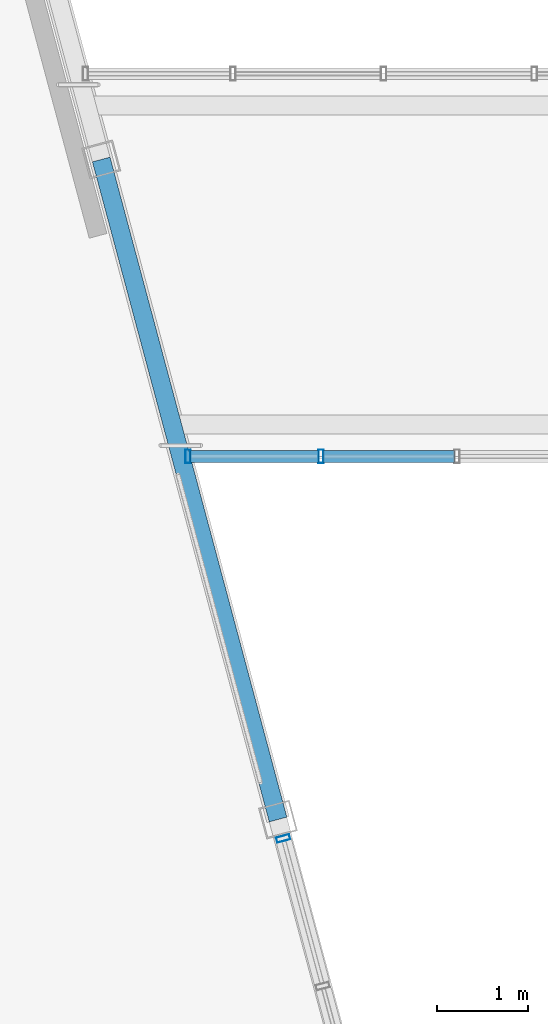
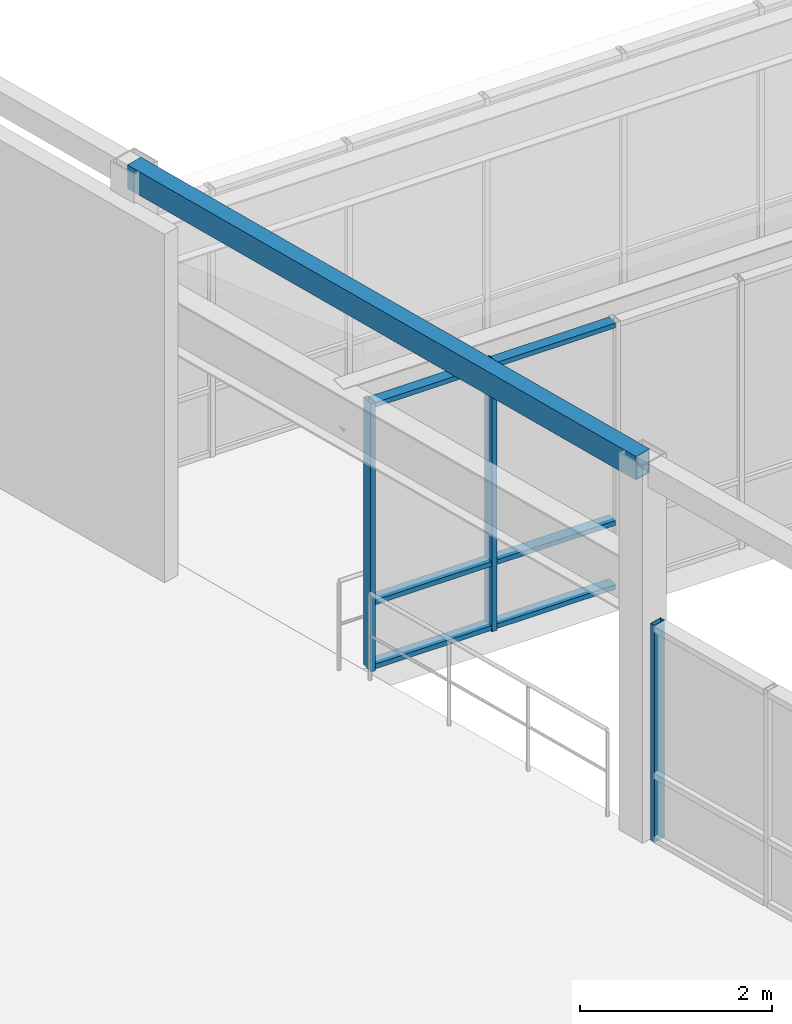
# One storey, part 42 of 99: 9 members, 1 beam, 2 elements without a shape of their own.
"""IFC4 building model written with IfcOpenShell, lengths in metres."""

from ifc_helpers import new_model, si_unit, direction, frame, origin, origin_2d, place, context, subcontext, project, spatial, hollow_rectangle, extrude, material, layer, layer_set, material_profile, profile_set, type_object, element, aggregate, save


model = new_model("IFC4")

# Units and contexts
model_context = context("Model", 3, precision=1e-05, world=origin(), true_north=direction((0.0, 1.0)))
body_context = subcontext(model_context, "Body", "Model", "MODEL_VIEW")
ifc_project = project(units=[si_unit("LENGTHUNIT", "METRE"), si_unit("AREAUNIT", "SQUARE_METRE"), si_unit("VOLUMEUNIT", "CUBIC_METRE"), si_unit("PLANEANGLEUNIT", "RADIAN"), si_unit("MASSUNIT", "GRAM", prefix="KILO")], contexts=[model_context])

# Site, building, storey
site_placement = place(None, origin())
site = spatial("IfcSite", under=ifc_project, at=site_placement, CompositionType="ELEMENT")
building_placement = place(site_placement, origin())
building = spatial("IfcBuilding", under=site, at=building_placement, Name="Ventoquebrada Cableway Terminal", CompositionType="ELEMENT")
storey_placement = place(building_placement, frame((0.0, 0.0, 9.60009765625)))
storey = spatial("IfcBuildingStorey", under=building, at=storey_placement, Name="L02", CompositionType="ELEMENT", Elevation=9.60009765625)

# Curtain wall, member
ifc_material_1 = material(Name="Anodized thermally-broken aluminium", Category="aluminium")
ifc_layer_1 = layer(ifc_material_1, 0.159912109375)
ifc_layer_set_1 = layer_set([ifc_layer_1], Name="Anodized thermally-broken aluminium")
curtain_wall_type_1 = type_object("IfcCurtainWallType", Name="CW-T41", PredefinedType="USERDEFINED", material=ifc_layer_set_1)
curtain_wall_1_placement = place(storey_placement, origin())
curtain_wall_1 = element("IfcCurtainWall", 1, at=curtain_wall_1_placement, inside=storey, type_object=curtain_wall_type_1, Name="Unitised glazed curtain wall CW-113", ObjectType="UNITISED CURTAIN WALL", PredefinedType="USERDEFINED")
ifc_material_profile_1 = material_profile(ifc_material_1, hollow_rectangle(XDim=0.06005859375, YDim=0.14990234375, WallThickness=0.00390625, at=origin_2d()), Name="CW-MUL-60X150")
ifc_profile_set_1 = profile_set([ifc_material_profile_1], Name="Anodized thermally-broken aluminium")
member_type_1 = type_object("IfcMemberType", Name="CWM-03", PredefinedType="MULLION", material=ifc_profile_set_1)
member_1_placement = place(storey_placement, frame((85.384033203125, 84.2060546875, -0.008056640625), z_axis=(0.0, 0.0, 1.0), x_axis=(-0.258616736395, 0.965980012038, 0.0)))
member_1 = element("IfcMember", 2, at=member_1_placement, type_object=member_type_1, Name="Curtain wall mullion FML-0551", PredefinedType="MULLION", context=body_context, shape_type="SweptSolid", body=[
    extrude(hollow_rectangle(XDim=0.06005859375, YDim=0.14990234375, WallThickness=0.00390625, at=origin_2d()), origin(), (0.0, 0.0, 1.0), 2.764892578125),
])
aggregate(curtain_wall_1, [member_1])

# Curtain wall, members
ifc_layer_2 = layer(ifc_material_1, 0.159912109375)
ifc_layer_set_2 = layer_set([ifc_layer_2], Name="Anodized thermally-broken aluminium")
curtain_wall_type_2 = type_object("IfcCurtainWallType", Name="CW-T54", PredefinedType="USERDEFINED", material=ifc_layer_set_2)
curtain_wall_2_placement = place(storey_placement, origin())
curtain_wall_2 = element("IfcCurtainWall", 3, at=curtain_wall_2_placement, inside=storey, type_object=curtain_wall_type_2, Name="Unitised glazed curtain wall CW-173", ObjectType="UNITISED CURTAIN WALL", PredefinedType="USERDEFINED")
member_2_placement = place(storey_placement, frame((84.340087890625, 88.39990234375, -0.008056640625), z_axis=(0.0, 0.0, 1.0), x_axis=(1.0, 0.0, 0.0)))
member_2 = element("IfcMember", 4, at=member_2_placement, type_object=member_type_1, Name="Curtain wall mullion FML-0861", PredefinedType="MULLION", context=body_context, shape_type="SweptSolid", body=[
    extrude(hollow_rectangle(XDim=0.06005859375, YDim=0.14990234375, WallThickness=0.00390625, at=origin_2d()), origin(), (0.0, 0.0, 1.0), 3.412841796875),
])
member_3_placement = place(storey_placement, frame((85.798095703125, 88.39990234375, -0.008056640625), z_axis=(0.0, 0.0, 1.0), x_axis=(1.0, 0.0, 0.0)))
member_3 = element("IfcMember", 5, at=member_3_placement, type_object=member_type_1, Name="Curtain wall mullion FML-0862", PredefinedType="MULLION", context=body_context, shape_type="SweptSolid", body=[
    extrude(hollow_rectangle(XDim=0.06005859375, YDim=0.14990234375, WallThickness=0.00390625, at=origin_2d()), origin(), (0.0, 0.0, 1.0), 3.412841796875),
])
ifc_material_profile_2 = material_profile(ifc_material_1, hollow_rectangle(XDim=0.06005859375, YDim=0.1298828125, WallThickness=0.00390625, at=origin_2d()), Name="CW-TRN-60X130")
ifc_profile_set_2 = profile_set([ifc_material_profile_2], Name="Anodized thermally-broken aluminium")
member_type_2 = type_object("IfcMemberType", Name="CWT-02", PredefinedType="USERDEFINED", material=ifc_profile_set_2)
member_4_placement = place(storey_placement, frame((84.364990234375, 88.39990234375, 0.034912109375), z_axis=(1.0, 0.0, 0.0), x_axis=(0.0, 0.0, 1.0)))
member_4 = element("IfcMember", 6, at=member_4_placement, type_object=member_type_2, Name="Curtain wall transom FTR-2513", ObjectType="TRANSOM", PredefinedType="USERDEFINED", context=body_context, shape_type="SweptSolid", body=[
    extrude(hollow_rectangle(XDim=0.06005859375, YDim=0.1298828125, WallThickness=0.00390625, at=origin_2d()), origin(), (0.0, 0.0, 1.0), 1.407958984375),
])
member_5_placement = place(storey_placement, frame((84.364990234375, 88.39990234375, 0.849853515625), z_axis=(1.0, 0.0, 0.0), x_axis=(0.0, 0.0, 1.0)))
member_5 = element("IfcMember", 7, at=member_5_placement, type_object=member_type_2, Name="Curtain wall transom FTR-2514", ObjectType="TRANSOM", PredefinedType="USERDEFINED", context=body_context, shape_type="SweptSolid", body=[
    extrude(hollow_rectangle(XDim=0.06005859375, YDim=0.1298828125, WallThickness=0.00390625, at=origin_2d()), origin(), (0.0, 0.0, 1.0), 1.407958984375),
])
member_6_placement = place(storey_placement, frame((84.364990234375, 88.39990234375, 3.364990234375), z_axis=(1.0, 0.0, 0.0), x_axis=(0.0, 0.0, 1.0)))
member_6 = element("IfcMember", 8, at=member_6_placement, type_object=member_type_2, Name="Curtain wall transom FTR-2515", ObjectType="TRANSOM", PredefinedType="USERDEFINED", context=body_context, shape_type="SweptSolid", body=[
    extrude(hollow_rectangle(XDim=0.06005859375, YDim=0.1298828125, WallThickness=0.00390625, at=origin_2d()), origin(), (0.0, 0.0, 1.0), 1.407958984375),
])
member_7_placement = place(storey_placement, frame((85.822998046875, 88.39990234375, 0.034912109375), z_axis=(1.0, 0.0, 0.0), x_axis=(0.0, 0.0, 1.0)))
member_7 = element("IfcMember", 9, at=member_7_placement, type_object=member_type_2, Name="Curtain wall transom FTR-2516", ObjectType="TRANSOM", PredefinedType="USERDEFINED", context=body_context, shape_type="SweptSolid", body=[
    extrude(hollow_rectangle(XDim=0.06005859375, YDim=0.1298828125, WallThickness=0.00390625, at=origin_2d()), origin(), (0.0, 0.0, 1.0), 1.443115234375),
])
member_8_placement = place(storey_placement, frame((85.822998046875, 88.39990234375, 0.849853515625), z_axis=(1.0, 0.0, 0.0), x_axis=(0.0, 0.0, 1.0)))
member_8 = element("IfcMember", 10, at=member_8_placement, type_object=member_type_2, Name="Curtain wall transom FTR-2517", ObjectType="TRANSOM", PredefinedType="USERDEFINED", context=body_context, shape_type="SweptSolid", body=[
    extrude(hollow_rectangle(XDim=0.06005859375, YDim=0.1298828125, WallThickness=0.00390625, at=origin_2d()), origin(), (0.0, 0.0, 1.0), 1.443115234375),
])
member_9_placement = place(storey_placement, frame((85.822998046875, 88.39990234375, 3.364990234375), z_axis=(1.0, 0.0, 0.0), x_axis=(0.0, 0.0, 1.0)))
member_9 = element("IfcMember", 11, at=member_9_placement, type_object=member_type_2, Name="Curtain wall transom FTR-2518", ObjectType="TRANSOM", PredefinedType="USERDEFINED", context=body_context, shape_type="SweptSolid", body=[
    extrude(hollow_rectangle(XDim=0.06005859375, YDim=0.1298828125, WallThickness=0.00390625, at=origin_2d()), origin(), (0.0, 0.0, 1.0), 1.443115234375),
])
aggregate(curtain_wall_2, [member_2, member_3, member_4, member_5, member_6, member_7, member_8, member_9])

# Beam
ifc_material_2 = material(Name="Steel ASTM A500 Grade C", Category="steel")
ifc_material_profile_3 = material_profile(ifc_material_2, hollow_rectangle(XDim=0.199951171875, YDim=0.300048828125, WallThickness=0.012451171875, at=origin_2d()), Name="RHS300X200X12.5")
ifc_profile_set_3 = profile_set([ifc_material_profile_3], Name="Steel ASTM A500 Grade C")
beam_type = type_object("IfcBeamType", Name="SP-ST02", PredefinedType="SPANDREL", material=ifc_profile_set_3)
beam_placement = place(storey_placement, frame((85.327880859375, 84.4140625, 4.64990234375), z_axis=(-0.258776761059, 0.965937155273, 0.0), x_axis=(-0.965937155273, -0.258776761059, 0.0)))
element("IfcBeam", 12, at=beam_placement, inside=storey, type_object=beam_type, Name="Boarding hall perimeter tie beam FBM-1086", PredefinedType="SPANDREL", context=body_context, shape_type="SweptSolid", body=[
    extrude(hollow_rectangle(XDim=0.199951171875, YDim=0.300048828125, WallThickness=0.012451171875, at=origin_2d()), origin(), (0.0, 0.0, 1.0), 7.500244140625),
])

save(model, "model.ifc")
